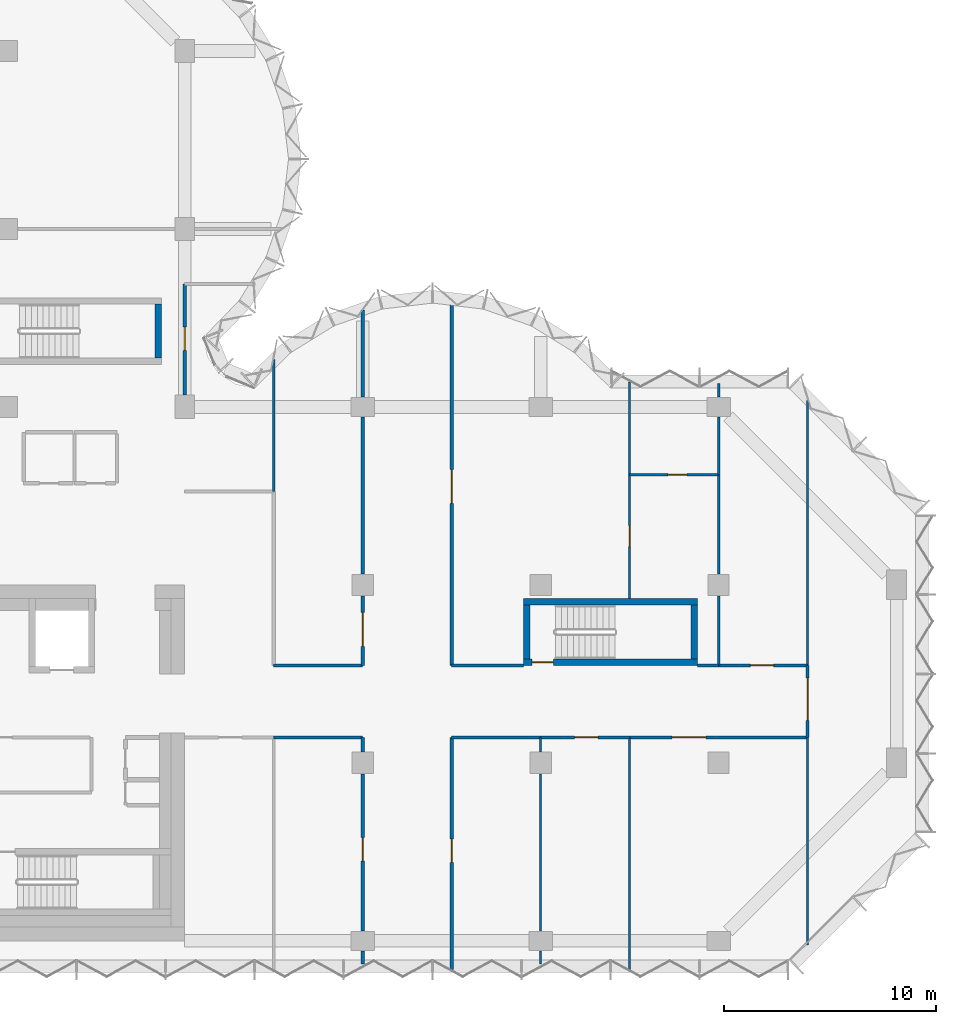
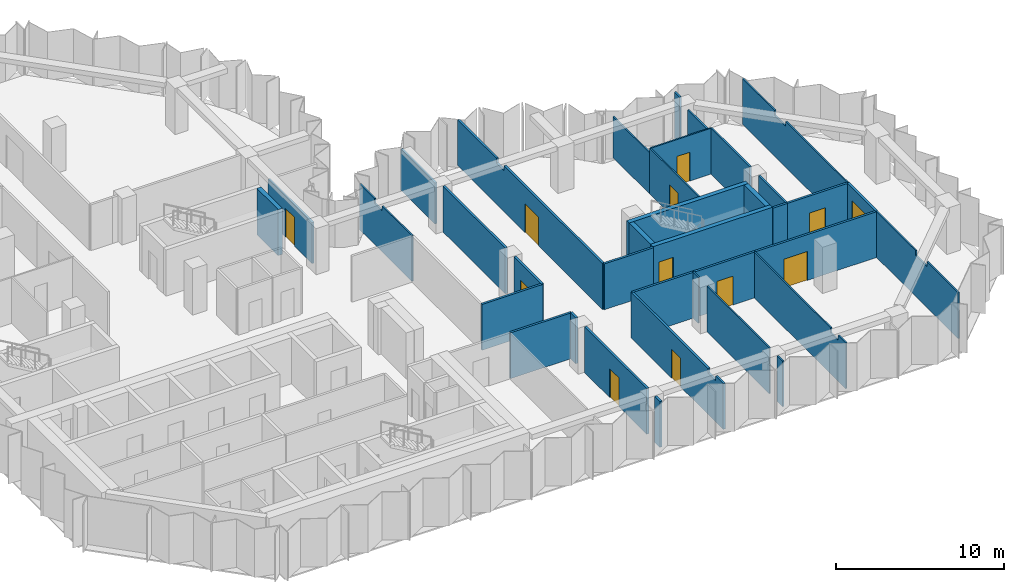
# One storey, part 7 of 10: 37 walls, 12 doors, 12 openings.
"""IFC4 building model written with IfcOpenShell, lengths in metres."""

from ifc_helpers import new_model, si_unit, direction, frame, frame_2d, origin, place, context, subcontext, project, spatial, polyline, rectangle, outline, extrude, material, layer, layer_set, type_object, element, fill, save


model = new_model("IFC4")

# Units and contexts
model_context = context("Model", 3, precision=1e-05, world=origin(), true_north=direction((0.0, 1.0)))
body_context = subcontext(model_context, "Body", "Model", "MODEL_VIEW")
ifc_project = project(units=[si_unit("LENGTHUNIT", "METRE"), si_unit("AREAUNIT", "SQUARE_METRE"), si_unit("VOLUMEUNIT", "CUBIC_METRE"), si_unit("PLANEANGLEUNIT", "RADIAN"), si_unit("MASSUNIT", "GRAM", prefix="KILO")], contexts=[model_context])

# Site, building, storey
site_placement = place(None, origin())
site = spatial("IfcSite", under=ifc_project, at=site_placement, CompositionType="ELEMENT")
building_placement = place(site_placement, origin())
building = spatial("IfcBuilding", under=site, at=building_placement, Name="Brevane Broadcast Tower", CompositionType="ELEMENT")
storey_placement = place(building_placement, frame((0.0, 0.0, 170.39990234375)))
storey = spatial("IfcBuildingStorey", under=building, at=storey_placement, Name="L42", CompositionType="ELEMENT", Elevation=170.39990234375)

# Wall
ifc_material_1 = material(Name="Concrete C60/75", Category="concrete")
ifc_layer_1 = layer(ifc_material_1, 0.300048828125)
ifc_layer_set_1 = layer_set([ifc_layer_1], Name="Core wall 300 mm C60/75")
wall_type_1 = type_object("IfcWallType", Name="Core wall 300 mm C60/75", PredefinedType="SHEAR", material=ifc_layer_set_1)
wall_1_placement = place(storey_placement, frame((23.949951171875, 27.5, 0.0), z_axis=(0.0, 0.0, 1.0), x_axis=(0.0, 1.0, 0.0)))
element("IfcWall", 1, at=wall_1_placement, inside=storey, type_object=wall_type_1, Name="L42 stair wall ST-3-E", PredefinedType="SHEAR", context=body_context, shape_type="SweptSolid", body=[
    extrude(rectangle(XDim=2.550048828125, YDim=0.300048828125, at=frame_2d((1.27490234375, 0.0))), origin(), (0.0, 0.0, 1.0), 3.35009765625),
])

# Wall, opening, door
wall_2_placement = place(storey_placement, frame((49.39990234375, 13.14990234375, 0.0), z_axis=(0.0, 0.0, 1.0), x_axis=(-1.0, 0.0, 0.0)))
wall_2 = element("IfcWall", 2, at=wall_2_placement, inside=storey, type_object=wall_type_1, Name="L42 stair wall ST-4-S", PredefinedType="SHEAR", context=body_context, shape_type="SweptSolid", body=[
    extrude(rectangle(XDim=8.199951171875, YDim=0.300048828125, at=frame_2d((4.10009765625, 0.0))), origin(), (0.0, 0.0, 1.0), 3.35009765625),
])
opening_1_placement = place(wall_2_placement, frame((6.800048828125, 0.0, 0.0)))
opening_1 = element("IfcOpeningElement", 3, at=opening_1_placement, cuts=wall_2, Name="Opening L42-K13", PredefinedType="OPENING", context=body_context, shape_type="SweptSolid", body=[
    extrude(rectangle(XDim=1.0, YDim=2.10009765625, at=frame_2d((0.5, 1.050048828125))), frame((0.0, 0.159912109375, 0.0), z_axis=(0.0, -1.0, 0.0), x_axis=(1.0, 0.0, 0.0)), (0.0, 0.0, 1.0), 0.320068359375),
])
ifc_material_2 = material(Name="Steel", Category="steel")
door_type_1 = type_object("IfcDoorType", Name="Stair door 1000 x 2100", OperationType="SINGLE_SWING_LEFT", PredefinedType="DOOR", material=ifc_material_2)
door_1_placement = place(opening_1_placement, origin())
door_1 = element("IfcDoor", 4, at=door_1_placement, inside=storey, type_object=door_type_1, Name="Door L42-K13", OperationType="SINGLE_SWING_RIGHT", OverallHeight=2.10009765625, OverallWidth=1.0, PredefinedType="DOOR", context=body_context, shape_type="SweptSolid", body=[
    extrude(rectangle(XDim=1.0, YDim=2.10009765625, at=frame_2d((0.5, 1.050048828125))), frame((0.0, 0.02490234375, 0.0), z_axis=(0.0, -1.0, 0.0), x_axis=(1.0, 0.0, 0.0)), (0.0, 0.0, 1.0), 0.050048828125),
])
fill(opening_1, door_1)

# Walls
wall_3_placement = place(storey_placement, frame((41.199951171875, 16.0, 0.0), z_axis=(0.0, 0.0, 1.0), x_axis=(1.0, 0.0, 0.0)))
element("IfcWall", 5, at=wall_3_placement, inside=storey, type_object=wall_type_1, Name="L42 stair wall ST-4-N", PredefinedType="SHEAR", context=body_context, shape_type="SweptSolid", body=[
    extrude(rectangle(XDim=8.199951171875, YDim=0.300048828125, at=frame_2d((4.10009765625, 0.0))), origin(), (0.0, 0.0, 1.0), 3.35009765625),
])
for number, where, z_axis, x_axis, name in (
    (6, (41.35009765625, 13.300048828125, 0.0), (0.0, 0.0, 1.0), (0.0, 1.0, 0.0), "L42 stair wall ST-4-W"),
    (7, (49.25, 13.300048828125, 0.0), (0.0, 0.0, 1.0), (0.0, 1.0, 0.0), "L42 stair wall ST-4-E"),
):
    element("IfcWall", number, at=place(storey_placement, frame(where, z_axis=z_axis, x_axis=x_axis)), inside=storey, type_object=wall_type_1, Name=name, PredefinedType="SHEAR", context=body_context, shape_type="SweptSolid", body=[
        extrude(rectangle(XDim=2.550048828125, YDim=0.300048828125, at=frame_2d((1.27490234375, 0.0))), origin(), (0.0, 0.0, 1.0), 3.35009765625),
    ])
ifc_material_3 = material(Name="Gypsum board partition")
ifc_layer_2 = layer(ifc_material_3, 0.10009765625)
ifc_layer_set_2 = layer_set([ifc_layer_2], Name="PARTITION 100 STUD")
wall_type_2 = type_object("IfcWallType", Name="PARTITION 100 STUD", PredefinedType="PARTITIONING", material=ifc_layer_set_2)
wall_4_placement = place(storey_placement, frame((29.39990234375, 27.428955078125, 0.0), z_axis=(0.0, 0.0, 1.0), x_axis=(0.0, -1.0, 0.0)))
element("IfcWall", 8, at=wall_4_placement, inside=storey, type_object=wall_type_2, Name="Partition G12-004", PredefinedType="PARTITIONING", context=body_context, shape_type="SweptSolid", body=[
    extrude(outline(polyline([(0.0, 0.0), (6.22900390625, 0.0), (6.22900390625, 3.330078125), (2.678955078125, 3.330078125), (2.677001953125, 2.97998046875), (1.781005859375, 2.97998046875), (1.779052734375, 3.330078125), (0.154052734375, 3.330078125), (0.0, 3.330078125), (0.0, 0.0)])), frame((0.0, 0.050048828125, 0.0), z_axis=(0.0, -1.0, 0.0), x_axis=(1.0, 0.0, 0.0)), (0.0, 0.0, 1.0), 0.10009765625),
])
wall_5_placement = place(storey_placement, frame((54.60009765625, -0.199951171875, 0.0), z_axis=(0.0, 0.0, 1.0), x_axis=(0.0, 1.0, 0.0)))
element("IfcWall", 9, at=wall_5_placement, inside=storey, type_object=wall_type_2, Name="Partition G12-016", PredefinedType="PARTITIONING", context=body_context, shape_type="SweptSolid", body=[
    extrude(outline(polyline([(0.0, 0.0), (9.800048828125, 0.0), (9.800048828125, 3.330078125), (5.065673828125, 3.330078125), (5.063720703125, 2.97998046875), (3.736328125, 2.97998046875), (3.734375, 3.330078125), (0.0, 3.330078125), (0.0, 0.0)])), frame((0.0, 0.050048828125, 0.0), z_axis=(0.0, -1.0, 0.0), x_axis=(1.0, 0.0, 0.0)), (0.0, 0.0, 1.0), 0.10009765625),
])
wall_6_placement = place(storey_placement, frame((54.60009765625, 13.0, 0.0), z_axis=(0.0, 0.0, 1.0), x_axis=(0.0, 1.0, 0.0)))
element("IfcWall", 10, at=wall_6_placement, inside=storey, type_object=wall_type_2, Name="Partition G12-017", PredefinedType="PARTITIONING", context=body_context, shape_type="SweptSolid", body=[
    extrude(outline(polyline([(0.0, 0.0), (12.50244140625, 0.0), (12.50244140625, 3.330078125), (12.39990234375, 3.330078125), (8.665771484375, 3.330078125), (8.66357421875, 2.97998046875), (7.33642578125, 2.97998046875), (7.334228515625, 3.330078125), (0.0, 3.330078125), (0.0, 0.0)])), frame((0.0, 0.050048828125, 0.0), z_axis=(0.0, -1.0, 0.0), x_axis=(1.0, 0.0, 0.0)), (0.0, 0.0, 1.0), 0.10009765625),
])
wall_7_placement = place(storey_placement, frame((42.0, 9.60009765625, 0.0), z_axis=(0.0, 0.0, 1.0), x_axis=(0.0, -1.0, 0.0)))
element("IfcWall", 11, at=wall_7_placement, inside=storey, type_object=wall_type_2, Name="Partition G12-023", PredefinedType="PARTITIONING", context=body_context, shape_type="SweptSolid", body=[
    extrude(rectangle(XDim=0.68017578125, YDim=0.10009765625, at=frame_2d((0.340087890625, 0.0))), origin(), (0.0, 0.0, 1.0), 3.330078125),
])
wall_8_placement = place(storey_placement, frame((42.0, 7.8798828125, 0.0), z_axis=(0.0, 0.0, 1.0), x_axis=(0.0, -1.0, 0.0)))
element("IfcWall", 12, at=wall_8_placement, inside=storey, type_object=wall_type_2, Name="Partition G12-024", PredefinedType="PARTITIONING", context=body_context, shape_type="SweptSolid", body=[
    extrude(rectangle(XDim=7.409912109375, YDim=0.10009765625, at=frame_2d((3.705078125, 0.0))), origin(), (0.0, 0.0, 1.0), 3.330078125),
])
wall_9_placement = place(storey_placement, frame((42.0, -0.469970703125, 0.0), z_axis=(0.0, 0.0, 1.0), x_axis=(0.0, -1.0, 0.0)))
element("IfcWall", 13, at=wall_9_placement, inside=storey, type_object=wall_type_2, Name="Partition G12-025", PredefinedType="PARTITIONING", context=body_context, shape_type="SweptSolid", body=[
    extrude(rectangle(XDim=0.630126953125, YDim=0.10009765625, at=frame_2d((0.31494140625, 0.0))), origin(), (0.0, 0.0, 1.0), 3.330078125),
])
wall_10_placement = place(storey_placement, frame((46.199951171875, 9.60009765625, 0.0), z_axis=(0.0, 0.0, 1.0), x_axis=(0.0, -1.0, 0.0)))
element("IfcWall", 14, at=wall_10_placement, inside=storey, type_object=wall_type_2, Name="Partition G12-026", PredefinedType="PARTITIONING", context=body_context, shape_type="SweptSolid", body=[
    extrude(outline(polyline([(0.0, 0.0), (10.965087890625, 0.0), (10.965087890625, 3.330078125), (10.699951171875, 3.330078125), (10.050048828125, 3.330078125), (10.048095703125, 2.97998046875), (9.152099609375, 2.97998046875), (9.14990234375, 3.330078125), (0.0, 3.330078125), (0.0, 0.0)])), frame((0.0, 0.050048828125, 0.0), z_axis=(0.0, -1.0, 0.0), x_axis=(1.0, 0.0, 0.0)), (0.0, 0.0, 1.0), 0.10009765625),
])

# Wall, opening, door
wall_11_placement = place(storey_placement, frame((46.199951171875, 22.0, 0.0), z_axis=(0.0, 0.0, 1.0), x_axis=(0.0, -1.0, 0.0)))
wall_11 = element("IfcWall", 15, at=wall_11_placement, inside=storey, type_object=wall_type_2, Name="Partition G12-031", PredefinedType="PARTITIONING", context=body_context, shape_type="SweptSolid", body=[
    extrude(rectangle(XDim=5.85009765625, YDim=0.10009765625, at=frame_2d((2.925048828125, 0.0))), origin(), (0.0, 0.0, 1.0), 3.330078125),
])
opening_2_placement = place(wall_11_placement, frame((2.39990234375, 0.0, 0.0)))
opening_2 = element("IfcOpeningElement", 16, at=opening_2_placement, cuts=wall_11, Name="Opening D21-010", PredefinedType="OPENING", context=body_context, shape_type="SweptSolid", body=[
    extrude(rectangle(XDim=1.0, YDim=2.10009765625, at=frame_2d((0.5, 1.050048828125))), frame((0.0, 0.06005859375, 0.0), z_axis=(0.0, -1.0, 0.0), x_axis=(1.0, 0.0, 0.0)), (0.0, 0.0, 1.0), 0.1201171875),
])
ifc_material_4 = material(Name="Timber door leaf", Category="wood")
door_type_2 = type_object("IfcDoorType", Name="DOOR SINGLE 1000 INTERNAL", OperationType="SINGLE_SWING_LEFT", PredefinedType="DOOR", material=ifc_material_4)
door_2_placement = place(opening_2_placement, origin())
door_2 = element("IfcDoor", 17, at=door_2_placement, inside=storey, type_object=door_type_2, Name="Door D21-010", OperationType="SINGLE_SWING_LEFT", OverallHeight=2.10009765625, OverallWidth=1.0, PredefinedType="DOOR", context=body_context, shape_type="SweptSolid", body=[
    extrude(rectangle(XDim=1.0, YDim=2.10009765625, at=frame_2d((0.5, 1.050048828125))), frame((0.0, 0.02490234375, 0.0), z_axis=(0.0, -1.0, 0.0), x_axis=(1.0, 0.0, 0.0)), (0.0, 0.0, 1.0), 0.050048828125),
])
fill(opening_2, door_2)

# Wall
wall_12_placement = place(storey_placement, frame((46.199951171875, 26.3740234375, 0.0), z_axis=(0.0, 0.0, 1.0), x_axis=(0.0, -1.0, 0.0)))
element("IfcWall", 18, at=wall_12_placement, inside=storey, type_object=wall_type_2, Name="Partition G12-032", PredefinedType="PARTITIONING", context=body_context, shape_type="SweptSolid", body=[
    extrude(rectangle(XDim=4.3740234375, YDim=0.10009765625, at=frame_2d((2.18701171875, 0.0))), origin(), (0.0, 0.0, 1.0), 2.97998046875),
])

# Wall, opening, door
wall_13_placement = place(storey_placement, frame((46.199951171875, 22.0, 0.0), z_axis=(0.0, 0.0, 1.0), x_axis=(1.0, 0.0, 0.0)))
wall_13 = element("IfcWall", 19, at=wall_13_placement, inside=storey, type_object=wall_type_2, Name="Partition G12-033", PredefinedType="PARTITIONING", context=body_context, shape_type="SweptSolid", body=[
    extrude(rectangle(XDim=4.199951171875, YDim=0.10009765625, at=frame_2d((2.10009765625, 0.0))), origin(), (0.0, 0.0, 1.0), 3.330078125),
])
opening_3_placement = place(wall_13_placement, frame((1.800048828125, 0.0, 0.0)))
opening_3 = element("IfcOpeningElement", 20, at=opening_3_placement, cuts=wall_13, Name="Opening D21-011", PredefinedType="OPENING", context=body_context, shape_type="SweptSolid", body=[
    extrude(rectangle(XDim=0.89990234375, YDim=2.10009765625, at=frame_2d((0.449951171875, 1.050048828125))), frame((0.0, 0.06005859375, 0.0), z_axis=(0.0, -1.0, 0.0), x_axis=(1.0, 0.0, 0.0)), (0.0, 0.0, 1.0), 0.1201171875),
])
door_type_3 = type_object("IfcDoorType", Name="DOOR SINGLE 900 INTERNAL", OperationType="SINGLE_SWING_LEFT", PredefinedType="DOOR", material=ifc_material_4)
door_3_placement = place(opening_3_placement, origin())
door_3 = element("IfcDoor", 21, at=door_3_placement, inside=storey, type_object=door_type_3, Name="Door D21-011", OperationType="SINGLE_SWING_LEFT", OverallHeight=2.10009765625, OverallWidth=0.89990234375, PredefinedType="DOOR", context=body_context, shape_type="SweptSolid", body=[
    extrude(rectangle(XDim=0.89990234375, YDim=2.10009765625, at=frame_2d((0.449951171875, 1.050048828125))), frame((0.0, 0.02490234375, 0.0), z_axis=(0.0, -1.0, 0.0), x_axis=(1.0, 0.0, 0.0)), (0.0, 0.0, 1.0), 0.050048828125),
])
fill(opening_3, door_3)

# Walls
ifc_layer_3 = layer(ifc_material_3, 0.125)
ifc_layer_set_3 = layer_set([ifc_layer_3], Name="PARTITION 125 ACOUSTIC")
wall_type_3 = type_object("IfcWallType", Name="PARTITION 125 ACOUSTIC", PredefinedType="PARTITIONING", material=ifc_layer_set_3)
wall_14_placement = place(storey_placement, frame((50.39990234375, 22.0, 0.0), z_axis=(0.0, 0.0, 1.0), x_axis=(0.0, -1.0, 0.0)))
element("IfcWall", 22, at=wall_14_placement, inside=storey, type_object=wall_type_3, Name="Partition G12-034", PredefinedType="PARTITIONING", context=body_context, shape_type="SweptSolid", body=[
    extrude(rectangle(XDim=4.679931640625, YDim=0.125, at=frame_2d((2.33984375, 0.0))), origin(), (0.0, 0.0, 1.0), 3.330078125),
])
wall_15_placement = place(storey_placement, frame((50.39990234375, 16.280029296875, 0.0), z_axis=(0.0, 0.0, 1.0), x_axis=(0.0, -1.0, 0.0)))
element("IfcWall", 23, at=wall_15_placement, inside=storey, type_object=wall_type_3, Name="Partition G12-035", PredefinedType="PARTITIONING", context=body_context, shape_type="SweptSolid", body=[
    extrude(rectangle(XDim=3.280029296875, YDim=0.125, at=frame_2d((1.64013671875, 0.0))), origin(), (0.0, 0.0, 1.0), 3.330078125),
])
wall_16_placement = place(storey_placement, frame((50.39990234375, 26.300048828125, 0.0), z_axis=(0.0, 0.0, 1.0), x_axis=(0.0, -1.0, 0.0)))
element("IfcWall", 24, at=wall_16_placement, inside=storey, type_object=wall_type_3, Name="Partition G12-036", PredefinedType="PARTITIONING", context=body_context, shape_type="SweptSolid", body=[
    extrude(rectangle(XDim=0.630126953125, YDim=0.125, at=frame_2d((0.31494140625, 0.0))), origin(), (0.0, 0.0, 1.0), 3.330078125),
])
wall_17_placement = place(storey_placement, frame((50.39990234375, 24.72998046875, 0.0), z_axis=(0.0, 0.0, 1.0), x_axis=(0.0, -1.0, 0.0)))
element("IfcWall", 25, at=wall_17_placement, inside=storey, type_object=wall_type_3, Name="Partition G12-037", PredefinedType="PARTITIONING", context=body_context, shape_type="SweptSolid", body=[
    extrude(rectangle(XDim=2.72998046875, YDim=0.125, at=frame_2d((1.364990234375, 0.0))), origin(), (0.0, 0.0, 1.0), 2.97998046875),
])

# Wall, opening, door
ifc_layer_4 = layer(ifc_material_3, 0.14990234375)
ifc_layer_set_4 = layer_set([ifc_layer_4], Name="PARTITION 150 EI 60")
wall_type_4 = type_object("IfcWallType", Name="PARTITION 150 EI 60", PredefinedType="PARTITIONING", material=ifc_layer_set_4)
wall_18_placement = place(storey_placement, frame((25.199951171875, 31.0, 0.0), z_axis=(0.0, 0.0, 1.0), x_axis=(0.0, -1.0, 0.0)))
wall_18 = element("IfcWall", 26, at=wall_18_placement, inside=storey, type_object=wall_type_4, Name="Partition G12-005", PredefinedType="PARTITIONING", context=body_context, shape_type="SweptSolid", body=[
    extrude(outline(polyline([(0.0, 0.0), (5.22998046875, 0.0), (5.22998046875, 2.97998046875), (0.0, 2.97998046875), (0.0, 0.0)])), frame((0.0, 0.074951171875, 0.0), z_axis=(0.0, -1.0, 0.0), x_axis=(1.0, 0.0, 0.0)), (0.0, 0.0, 1.0), 0.14990234375),
])
opening_4_placement = place(wall_18_placement, frame((2.030029296875, 0.0, 0.0)))
opening_4 = element("IfcOpeningElement", 27, at=opening_4_placement, cuts=wall_18, Name="Opening D21-001", PredefinedType="OPENING", context=body_context, shape_type="SweptSolid", body=[
    extrude(rectangle(XDim=1.10009765625, YDim=2.10009765625, at=frame_2d((0.550048828125, 1.050048828125))), frame((0.0, 0.0849609375, 0.0), z_axis=(0.0, -1.0, 0.0), x_axis=(1.0, 0.0, 0.0)), (0.0, 0.0, 1.0), 0.169921875),
])
ifc_material_5 = material(Name="Fire-rated timber door leaf", Category="wood")
door_type_4 = type_object("IfcDoorType", Name="DOOR SINGLE 1100 FD30S", OperationType="SINGLE_SWING_LEFT", PredefinedType="DOOR", material=ifc_material_5)
door_4_placement = place(opening_4_placement, origin())
door_4 = element("IfcDoor", 28, at=door_4_placement, inside=storey, type_object=door_type_4, Name="Door D21-001", OperationType="SINGLE_SWING_RIGHT", OverallHeight=2.10009765625, OverallWidth=1.10009765625, PredefinedType="DOOR", context=body_context, shape_type="SweptSolid", body=[
    extrude(rectangle(XDim=1.10009765625, YDim=2.10009765625, at=frame_2d((0.550048828125, 1.050048828125))), frame((0.0, 0.02490234375, 0.0), z_axis=(0.0, -1.0, 0.0), x_axis=(1.0, 0.0, 0.0)), (0.0, 0.0, 1.0), 0.050048828125),
])
fill(opening_4, door_4)

wall_19_placement = place(storey_placement, frame((54.60009765625, 13.0, 0.0), z_axis=(0.0, 0.0, 1.0), x_axis=(0.0, -1.0, 0.0)))
wall_19 = element("IfcWall", 29, at=wall_19_placement, inside=storey, type_object=wall_type_4, Name="Partition G12-007", PredefinedType="PARTITIONING", context=body_context, shape_type="SweptSolid", body=[
    extrude(rectangle(XDim=3.39990234375, YDim=0.14990234375, at=frame_2d((1.699951171875, 0.0))), origin(), (0.0, 0.0, 1.0), 3.330078125),
])
opening_5_placement = place(wall_19_placement, frame((0.60009765625, 0.0, 0.0)))
opening_5 = element("IfcOpeningElement", 30, at=opening_5_placement, cuts=wall_19, Name="Opening D21-002", PredefinedType="OPENING", context=body_context, shape_type="SweptSolid", body=[
    extrude(rectangle(XDim=2.0, YDim=2.39990234375, at=frame_2d((1.0, 1.199951171875))), frame((0.0, 0.0849609375, 0.0), z_axis=(0.0, -1.0, 0.0), x_axis=(1.0, 0.0, 0.0)), (0.0, 0.0, 1.0), 0.169921875),
])
door_type_5 = type_object("IfcDoorType", Name="DOOR DOUBLE 2000 FD30S", OperationType="DOUBLE_DOOR_SINGLE_SWING", PredefinedType="DOOR", material=ifc_material_5)
door_5_placement = place(opening_5_placement, origin())
door_5 = element("IfcDoor", 31, at=door_5_placement, inside=storey, type_object=door_type_5, Name="Door D21-002", OperationType="DOUBLE_DOOR_SINGLE_SWING", OverallHeight=2.39990234375, OverallWidth=2.0, PredefinedType="DOOR", context=body_context, shape_type="SweptSolid", body=[
    extrude(rectangle(XDim=2.0, YDim=2.39990234375, at=frame_2d((1.0, 1.199951171875))), frame((0.0, 0.02490234375, 0.0), z_axis=(0.0, -1.0, 0.0), x_axis=(1.0, 0.0, 0.0)), (0.0, 0.0, 1.0), 0.050048828125),
])
fill(opening_5, door_5)

# Walls
wall_20_placement = place(storey_placement, frame((33.60009765625, 9.60009765625, 0.0), z_axis=(0.0, 0.0, 1.0), x_axis=(-1.0, 0.0, 0.0)))
element("IfcWall", 32, at=wall_20_placement, inside=storey, type_object=wall_type_4, Name="Partition G12-008", PredefinedType="PARTITIONING", context=body_context, shape_type="SweptSolid", body=[
    extrude(rectangle(XDim=4.2001953125, YDim=0.14990234375, at=frame_2d((2.10009765625, 0.0))), origin(), (0.0, 0.0, 1.0), 3.330078125),
])
wall_21_placement = place(storey_placement, frame((42.0, 9.60009765625, 0.0), z_axis=(0.0, 0.0, 1.0), x_axis=(-1.0, 0.0, 0.0)))
element("IfcWall", 33, at=wall_21_placement, inside=storey, type_object=wall_type_4, Name="Partition G12-009", PredefinedType="PARTITIONING", context=body_context, shape_type="SweptSolid", body=[
    extrude(rectangle(XDim=4.199951171875, YDim=0.14990234375, at=frame_2d((2.10009765625, 0.0))), origin(), (0.0, 0.0, 1.0), 3.330078125),
])

# Wall, opening, door
wall_22_placement = place(storey_placement, frame((46.199951171875, 9.60009765625, 0.0), z_axis=(0.0, 0.0, 1.0), x_axis=(-1.0, 0.0, 0.0)))
wall_22 = element("IfcWall", 34, at=wall_22_placement, inside=storey, type_object=wall_type_4, Name="Partition G12-010", PredefinedType="PARTITIONING", context=body_context, shape_type="SweptSolid", body=[
    extrude(rectangle(XDim=4.199951171875, YDim=0.14990234375, at=frame_2d((2.10009765625, 0.0))), origin(), (0.0, 0.0, 1.0), 3.330078125),
])
opening_6_placement = place(wall_22_placement, frame((1.5, 0.0, 0.0)))
opening_6 = element("IfcOpeningElement", 35, at=opening_6_placement, cuts=wall_22, Name="Opening D21-006", PredefinedType="OPENING", context=body_context, shape_type="SweptSolid", body=[
    extrude(rectangle(XDim=1.10009765625, YDim=2.10009765625, at=frame_2d((0.550048828125, 1.050048828125))), frame((0.0, 0.0849609375, 0.0), z_axis=(0.0, -1.0, 0.0), x_axis=(1.0, 0.0, 0.0)), (0.0, 0.0, 1.0), 0.169921875),
])
door_6_placement = place(opening_6_placement, origin())
door_6 = element("IfcDoor", 36, at=door_6_placement, inside=storey, type_object=door_type_4, Name="Door D21-006", OperationType="SINGLE_SWING_LEFT", OverallHeight=2.10009765625, OverallWidth=1.10009765625, PredefinedType="DOOR", context=body_context, shape_type="SweptSolid", body=[
    extrude(rectangle(XDim=1.10009765625, YDim=2.10009765625, at=frame_2d((0.550048828125, 1.050048828125))), frame((0.0, 0.02490234375, 0.0), z_axis=(0.0, -1.0, 0.0), x_axis=(1.0, 0.0, 0.0)), (0.0, 0.0, 1.0), 0.050048828125),
])
fill(opening_6, door_6)

wall_23_placement = place(storey_placement, frame((54.60009765625, 9.60009765625, 0.0), z_axis=(0.0, 0.0, 1.0), x_axis=(-1.0, 0.0, 0.0)))
wall_23 = element("IfcWall", 37, at=wall_23_placement, inside=storey, type_object=wall_type_4, Name="Partition G12-011", PredefinedType="PARTITIONING", context=body_context, shape_type="SweptSolid", body=[
    extrude(rectangle(XDim=8.400146484375, YDim=0.14990234375, at=frame_2d((4.2001953125, 0.0))), origin(), (0.0, 0.0, 1.0), 3.330078125),
])
opening_7_placement = place(wall_23_placement, frame((4.800048828125, 0.0, 0.0)))
opening_7 = element("IfcOpeningElement", 38, at=opening_7_placement, cuts=wall_23, Name="Opening D21-007", PredefinedType="OPENING", context=body_context, shape_type="SweptSolid", body=[
    extrude(rectangle(XDim=1.60009765625, YDim=2.10009765625, at=frame_2d((0.800048828125, 1.050048828125))), frame((0.0, 0.0849609375, 0.0), z_axis=(0.0, -1.0, 0.0), x_axis=(1.0, 0.0, 0.0)), (0.0, 0.0, 1.0), 0.169921875),
])
door_type_6 = type_object("IfcDoorType", Name="DOOR DOUBLE 1600 FD30S", OperationType="DOUBLE_DOOR_SINGLE_SWING", PredefinedType="DOOR", material=ifc_material_5)
door_7_placement = place(opening_7_placement, origin())
door_7 = element("IfcDoor", 39, at=door_7_placement, inside=storey, type_object=door_type_6, Name="Door D21-007", OperationType="DOUBLE_DOOR_SINGLE_SWING", OverallHeight=2.10009765625, OverallWidth=1.60009765625, PredefinedType="DOOR", context=body_context, shape_type="SweptSolid", body=[
    extrude(rectangle(XDim=1.60009765625, YDim=2.10009765625, at=frame_2d((0.800048828125, 1.050048828125))), frame((0.0, 0.02490234375, 0.0), z_axis=(0.0, -1.0, 0.0), x_axis=(1.0, 0.0, 0.0)), (0.0, 0.0, 1.0), 0.050048828125),
])
fill(opening_7, door_7)

# Walls
wall_24_placement = place(storey_placement, frame((29.39990234375, 13.0, 0.0), z_axis=(0.0, 0.0, 1.0), x_axis=(1.0, 0.0, 0.0)))
element("IfcWall", 40, at=wall_24_placement, inside=storey, type_object=wall_type_4, Name="Partition G12-012", PredefinedType="PARTITIONING", context=body_context, shape_type="SweptSolid", body=[
    extrude(rectangle(XDim=4.2001953125, YDim=0.14990234375, at=frame_2d((2.10009765625, 0.0))), origin(), (0.0, 0.0, 1.0), 3.330078125),
])
wall_25_placement = place(storey_placement, frame((37.800048828125, 13.0, 0.0), z_axis=(0.0, 0.0, 1.0), x_axis=(1.0, 0.0, 0.0)))
element("IfcWall", 41, at=wall_25_placement, inside=storey, type_object=wall_type_4, Name="Partition G12-013", PredefinedType="PARTITIONING", context=body_context, shape_type="SweptSolid", body=[
    extrude(rectangle(XDim=3.39990234375, YDim=0.14990234375, at=frame_2d((1.699951171875, 0.0))), origin(), (0.0, 0.0, 1.0), 3.330078125),
])
wall_26_placement = place(storey_placement, frame((49.39990234375, 13.0, 0.0), z_axis=(0.0, 0.0, 1.0), x_axis=(1.0, 0.0, 0.0)))
element("IfcWall", 42, at=wall_26_placement, inside=storey, type_object=wall_type_4, Name="Partition G12-014", PredefinedType="PARTITIONING", context=body_context, shape_type="SweptSolid", body=[
    extrude(rectangle(XDim=1.0, YDim=0.14990234375, at=frame_2d((0.5, 0.0))), origin(), (0.0, 0.0, 1.0), 3.330078125),
])

# Wall, opening, door
wall_27_placement = place(storey_placement, frame((50.39990234375, 13.0, 0.0), z_axis=(0.0, 0.0, 1.0), x_axis=(1.0, 0.0, 0.0)))
wall_27 = element("IfcWall", 43, at=wall_27_placement, inside=storey, type_object=wall_type_4, Name="Partition G12-015", PredefinedType="PARTITIONING", context=body_context, shape_type="SweptSolid", body=[
    extrude(rectangle(XDim=4.2001953125, YDim=0.14990234375, at=frame_2d((2.10009765625, 0.0))), origin(), (0.0, 0.0, 1.0), 3.330078125),
])
opening_8_placement = place(wall_27_placement, frame((1.5, 0.0, 0.0)))
opening_8 = element("IfcOpeningElement", 44, at=opening_8_placement, cuts=wall_27, Name="Opening D21-012", PredefinedType="OPENING", context=body_context, shape_type="SweptSolid", body=[
    extrude(rectangle(XDim=1.10009765625, YDim=2.10009765625, at=frame_2d((0.550048828125, 1.050048828125))), frame((0.0, 0.0849609375, 0.0), z_axis=(0.0, -1.0, 0.0), x_axis=(1.0, 0.0, 0.0)), (0.0, 0.0, 1.0), 0.169921875),
])
door_8_placement = place(opening_8_placement, origin())
door_8 = element("IfcDoor", 45, at=door_8_placement, inside=storey, type_object=door_type_4, Name="Door D21-012", OperationType="SINGLE_SWING_LEFT", OverallHeight=2.10009765625, OverallWidth=1.10009765625, PredefinedType="DOOR", context=body_context, shape_type="SweptSolid", body=[
    extrude(rectangle(XDim=1.10009765625, YDim=2.10009765625, at=frame_2d((0.550048828125, 1.050048828125))), frame((0.0, 0.02490234375, 0.0), z_axis=(0.0, -1.0, 0.0), x_axis=(1.0, 0.0, 0.0)), (0.0, 0.0, 1.0), 0.050048828125),
])
fill(opening_8, door_8)

# Wall
wall_28_placement = place(storey_placement, frame((33.60009765625, -1.10009765625, 0.0), z_axis=(0.0, 0.0, 1.0), x_axis=(0.0, 1.0, 0.0)))
element("IfcWall", 46, at=wall_28_placement, inside=storey, type_object=wall_type_4, Name="Partition G12-018", PredefinedType="PARTITIONING", context=body_context, shape_type="SweptSolid", body=[
    extrude(rectangle(XDim=0.630126953125, YDim=0.14990234375, at=frame_2d((0.31494140625, 0.0))), origin(), (0.0, 0.0, 1.0), 3.330078125),
])

# Wall, opening, door
wall_29_placement = place(storey_placement, frame((33.60009765625, 0.469970703125, 0.0), z_axis=(0.0, 0.0, 1.0), x_axis=(0.0, 1.0, 0.0)))
wall_29 = element("IfcWall", 47, at=wall_29_placement, inside=storey, type_object=wall_type_4, Name="Partition G12-019", PredefinedType="PARTITIONING", context=body_context, shape_type="SweptSolid", body=[
    extrude(rectangle(XDim=7.409912109375, YDim=0.14990234375, at=frame_2d((3.705078125, 0.0))), origin(), (0.0, 0.0, 1.0), 3.330078125),
])
opening_9_placement = place(wall_29_placement, frame((3.300048828125, 0.0, 0.0)))
opening_9 = element("IfcOpeningElement", 48, at=opening_9_placement, cuts=wall_29, Name="Opening D21-004", PredefinedType="OPENING", context=body_context, shape_type="SweptSolid", body=[
    extrude(rectangle(XDim=1.10009765625, YDim=2.10009765625, at=frame_2d((0.550048828125, 1.050048828125))), frame((0.0, 0.0849609375, 0.0), z_axis=(0.0, -1.0, 0.0), x_axis=(1.0, 0.0, 0.0)), (0.0, 0.0, 1.0), 0.169921875),
])
door_9_placement = place(opening_9_placement, origin())
door_9 = element("IfcDoor", 49, at=door_9_placement, inside=storey, type_object=door_type_4, Name="Door D21-004", OperationType="SINGLE_SWING_LEFT", OverallHeight=2.10009765625, OverallWidth=1.10009765625, PredefinedType="DOOR", context=body_context, shape_type="SweptSolid", body=[
    extrude(rectangle(XDim=1.10009765625, YDim=2.10009765625, at=frame_2d((0.550048828125, 1.050048828125))), frame((0.0, 0.02490234375, 0.0), z_axis=(0.0, -1.0, 0.0), x_axis=(1.0, 0.0, 0.0)), (0.0, 0.0, 1.0), 0.050048828125),
])
fill(opening_9, door_9)

# Wall
wall_30_placement = place(storey_placement, frame((33.60009765625, 8.919921875, 0.0), z_axis=(0.0, 0.0, 1.0), x_axis=(0.0, 1.0, 0.0)))
element("IfcWall", 50, at=wall_30_placement, inside=storey, type_object=wall_type_4, Name="Partition G12-020", PredefinedType="PARTITIONING", context=body_context, shape_type="SweptSolid", body=[
    extrude(rectangle(XDim=0.68017578125, YDim=0.14990234375, at=frame_2d((0.340087890625, 0.0))), origin(), (0.0, 0.0, 1.0), 3.330078125),
])

# Wall, opening, door
wall_31_placement = place(storey_placement, frame((37.800048828125, 9.60009765625, 0.0), z_axis=(0.0, 0.0, 1.0), x_axis=(0.0, -1.0, 0.0)))
wall_31 = element("IfcWall", 51, at=wall_31_placement, inside=storey, type_object=wall_type_4, Name="Partition G12-021", PredefinedType="PARTITIONING", context=body_context, shape_type="SweptSolid", body=[
    extrude(outline(polyline([(0.0, 0.0), (10.965087890625, 0.0), (10.965087890625, 3.330078125), (10.699951171875, 3.330078125), (10.050048828125, 3.330078125), (10.048095703125, 2.97998046875), (9.152099609375, 2.97998046875), (9.14990234375, 3.330078125), (0.0, 3.330078125), (0.0, 0.0)])), frame((0.0, 0.074951171875, 0.0), z_axis=(0.0, -1.0, 0.0), x_axis=(1.0, 0.0, 0.0)), (0.0, 0.0, 1.0), 0.14990234375),
])
opening_10_placement = place(wall_31_placement, frame((4.800048828125, 0.0, 0.0)))
opening_10 = element("IfcOpeningElement", 52, at=opening_10_placement, cuts=wall_31, Name="Opening D21-005", PredefinedType="OPENING", context=body_context, shape_type="SweptSolid", body=[
    extrude(rectangle(XDim=1.10009765625, YDim=2.10009765625, at=frame_2d((0.550048828125, 1.050048828125))), frame((0.0, 0.0849609375, 0.0), z_axis=(0.0, -1.0, 0.0), x_axis=(1.0, 0.0, 0.0)), (0.0, 0.0, 1.0), 0.169921875),
])
door_10_placement = place(opening_10_placement, origin())
door_10 = element("IfcDoor", 53, at=door_10_placement, inside=storey, type_object=door_type_4, Name="Door D21-005", OperationType="SINGLE_SWING_LEFT", OverallHeight=2.10009765625, OverallWidth=1.10009765625, PredefinedType="DOOR", context=body_context, shape_type="SweptSolid", body=[
    extrude(rectangle(XDim=1.10009765625, YDim=2.10009765625, at=frame_2d((0.550048828125, 1.050048828125))), frame((0.0, 0.02490234375, 0.0), z_axis=(0.0, -1.0, 0.0), x_axis=(1.0, 0.0, 0.0)), (0.0, 0.0, 1.0), 0.050048828125),
])
fill(opening_10, door_10)

wall_32_placement = place(storey_placement, frame((33.60009765625, 13.0, 0.0), z_axis=(0.0, 0.0, 1.0), x_axis=(0.0, 1.0, 0.0)))
wall_32 = element("IfcWall", 54, at=wall_32_placement, inside=storey, type_object=wall_type_4, Name="Partition G12-027", PredefinedType="PARTITIONING", context=body_context, shape_type="SweptSolid", body=[
    extrude(rectangle(XDim=3.280029296875, YDim=0.14990234375, at=frame_2d((1.64013671875, 0.0))), origin(), (0.0, 0.0, 1.0), 3.330078125),
])
opening_11_placement = place(wall_32_placement, frame((0.89990234375, 0.0, 0.0)))
opening_11 = element("IfcOpeningElement", 55, at=opening_11_placement, cuts=wall_32, Name="Opening D21-008", PredefinedType="OPENING", context=body_context, shape_type="SweptSolid", body=[
    extrude(rectangle(XDim=1.60009765625, YDim=2.10009765625, at=frame_2d((0.800048828125, 1.050048828125))), frame((0.0, 0.0849609375, 0.0), z_axis=(0.0, -1.0, 0.0), x_axis=(1.0, 0.0, 0.0)), (0.0, 0.0, 1.0), 0.169921875),
])
door_11_placement = place(opening_11_placement, origin())
door_11 = element("IfcDoor", 56, at=door_11_placement, inside=storey, type_object=door_type_6, Name="Door D21-008", OperationType="DOUBLE_DOOR_SINGLE_SWING", OverallHeight=2.10009765625, OverallWidth=1.60009765625, PredefinedType="DOOR", context=body_context, shape_type="SweptSolid", body=[
    extrude(rectangle(XDim=1.60009765625, YDim=2.10009765625, at=frame_2d((0.800048828125, 1.050048828125))), frame((0.0, 0.02490234375, 0.0), z_axis=(0.0, -1.0, 0.0), x_axis=(1.0, 0.0, 0.0)), (0.0, 0.0, 1.0), 0.050048828125),
])
fill(opening_11, door_11)

# Walls
wall_33_placement = place(storey_placement, frame((33.60009765625, 17.320068359375, 0.0), z_axis=(0.0, 0.0, 1.0), x_axis=(0.0, 1.0, 0.0)))
element("IfcWall", 57, at=wall_33_placement, inside=storey, type_object=wall_type_4, Name="Partition G12-028", PredefinedType="PARTITIONING", context=body_context, shape_type="SweptSolid", body=[
    extrude(rectangle(XDim=7.409912109375, YDim=0.14990234375, at=frame_2d((3.705078125, 0.0))), origin(), (0.0, 0.0, 1.0), 3.330078125),
])
wall_34_placement = place(storey_placement, frame((33.60009765625, 25.669921875, 0.0), z_axis=(0.0, 0.0, 1.0), x_axis=(0.0, 1.0, 0.0)))
element("IfcWall", 58, at=wall_34_placement, inside=storey, type_object=wall_type_4, Name="Partition G12-029", PredefinedType="PARTITIONING", context=body_context, shape_type="SweptSolid", body=[
    extrude(rectangle(XDim=4.092041015625, YDim=0.14990234375, at=frame_2d((2.0458984375, 0.0))), origin(), (0.0, 0.0, 1.0), 2.97998046875),
])

# Wall, opening, door
wall_35_placement = place(storey_placement, frame((37.800048828125, 30.24267578125, 0.0), z_axis=(0.0, 0.0, 1.0), x_axis=(0.0, -1.0, 0.0)))
wall_35 = element("IfcWall", 59, at=wall_35_placement, inside=storey, type_object=wall_type_4, Name="Partition G12-030", PredefinedType="PARTITIONING", context=body_context, shape_type="SweptSolid", body=[
    extrude(outline(polyline([(0.0, 0.0), (17.24267578125, 0.0), (17.24267578125, 3.330078125), (5.49267578125, 3.330078125), (5.49072265625, 2.97998046875), (4.5947265625, 2.97998046875), (4.5927734375, 3.330078125), (0.0, 3.330078125), (0.0, 0.0)])), frame((0.0, 0.074951171875, 0.0), z_axis=(0.0, -1.0, 0.0), x_axis=(1.0, 0.0, 0.0)), (0.0, 0.0, 1.0), 0.14990234375),
])
opening_12_placement = place(wall_35_placement, frame((8.0, 0.0, 0.0)))
opening_12 = element("IfcOpeningElement", 60, at=opening_12_placement, cuts=wall_35, Name="Opening D21-009", PredefinedType="OPENING", context=body_context, shape_type="SweptSolid", body=[
    extrude(rectangle(XDim=1.60009765625, YDim=2.10009765625, at=frame_2d((0.800048828125, 1.050048828125))), frame((0.0, 0.0849609375, 0.0), z_axis=(0.0, -1.0, 0.0), x_axis=(1.0, 0.0, 0.0)), (0.0, 0.0, 1.0), 0.169921875),
])
door_12_placement = place(opening_12_placement, origin())
door_12 = element("IfcDoor", 61, at=door_12_placement, inside=storey, type_object=door_type_6, Name="Door D21-009", OperationType="DOUBLE_DOOR_SINGLE_SWING", OverallHeight=2.10009765625, OverallWidth=1.60009765625, PredefinedType="DOOR", context=body_context, shape_type="SweptSolid", body=[
    extrude(rectangle(XDim=1.60009765625, YDim=2.10009765625, at=frame_2d((0.800048828125, 1.050048828125))), frame((0.0, 0.02490234375, 0.0), z_axis=(0.0, -1.0, 0.0), x_axis=(1.0, 0.0, 0.0)), (0.0, 0.0, 1.0), 0.050048828125),
])
fill(opening_12, door_12)

save(model, "model.ifc")
